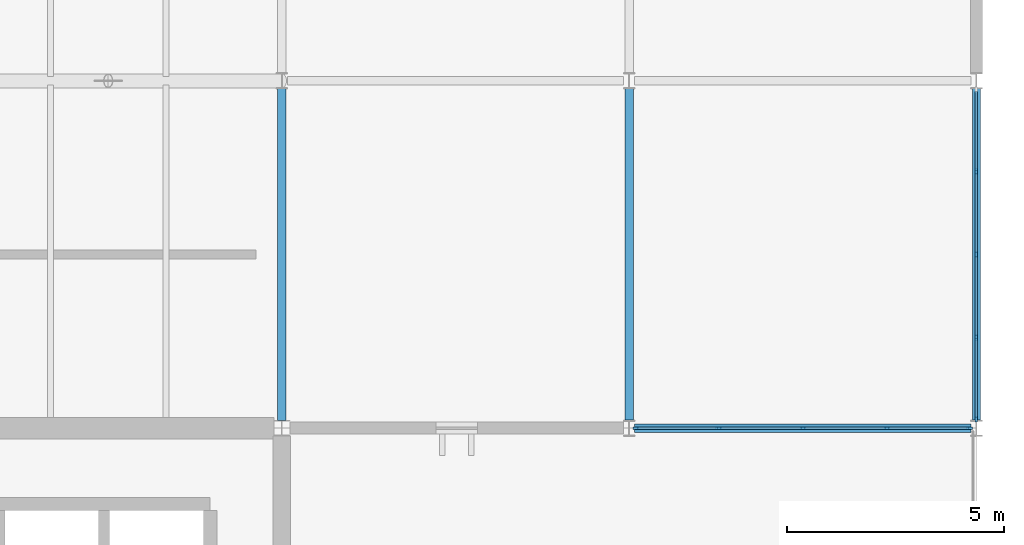
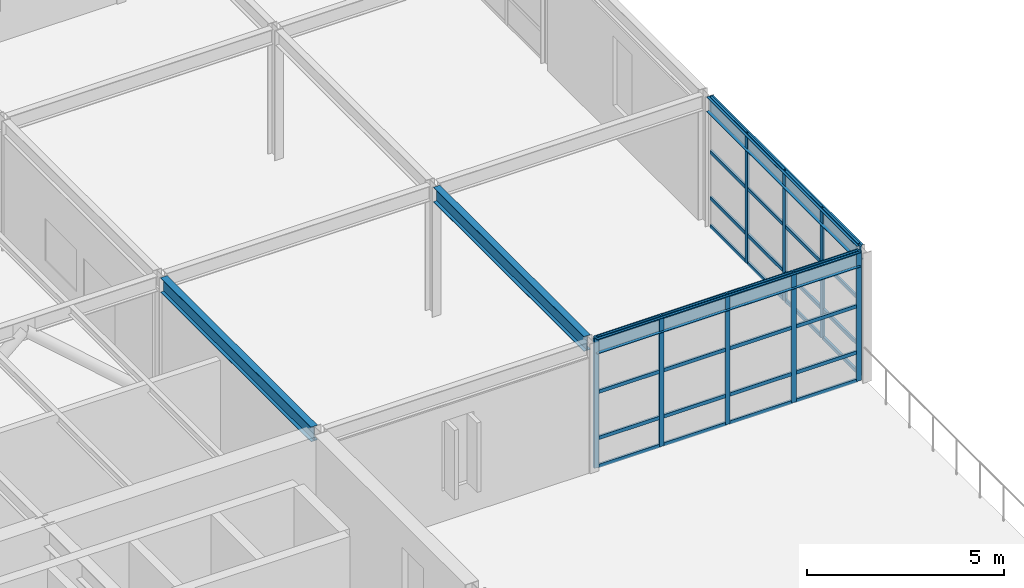
# One storey, part 10 of 21: 41 members, 4 beams, 2 elements without a shape of their own.
"""IFC4 building model written with IfcOpenShell, lengths in metres."""

from ifc_helpers import new_model, si_unit, direction, frame, origin, origin_2d, place, context, subcontext, project, spatial, rectangle, i_section, extrude, material, layer, layer_set, material_profile, profile_set, type_object, element, aggregate, save


model = new_model("IFC4")

# Units and contexts
model_context = context("Model", 3, precision=1e-05, world=origin(), true_north=direction((0.0, 1.0)))
body_context = subcontext(model_context, "Body", "Model", "MODEL_VIEW")
ifc_project = project(units=[si_unit("LENGTHUNIT", "METRE"), si_unit("AREAUNIT", "SQUARE_METRE"), si_unit("VOLUMEUNIT", "CUBIC_METRE"), si_unit("PLANEANGLEUNIT", "RADIAN"), si_unit("MASSUNIT", "GRAM", prefix="KILO")], contexts=[model_context])

# Site, building, storey
site_placement = place(None, origin())
site = spatial("IfcSite", under=ifc_project, at=site_placement, CompositionType="ELEMENT")
building_placement = place(site_placement, origin())
building = spatial("IfcBuilding", under=site, at=building_placement, Name="Varnela Railside Interchange", CompositionType="ELEMENT")
storey_placement = place(building_placement, frame((0.0, 0.0, 23.800048828125)))
storey = spatial("IfcBuildingStorey", under=building, at=storey_placement, Name="L05", CompositionType="ELEMENT", Elevation=23.800048828125)

# Curtain wall, members
ifc_material_1 = material(Name="Aluminium 6063-T6", Category="aluminium")
ifc_layer = layer(ifc_material_1, 0.035888671875)
ifc_layer_set = layer_set([ifc_layer], Name="Aluminium 6063-T6")
curtain_wall_type = type_object("IfcCurtainWallType", Name="Operations Wing Facade Curtain Wall CW-03", PredefinedType="USERDEFINED", material=ifc_layer_set)
curtain_wall_1_placement = place(storey_placement, origin())
curtain_wall_1 = element("IfcCurtainWall", 1, at=curtain_wall_1_placement, inside=storey, type_object=curtain_wall_type, Name="Curtain Wall CW-03 (L05) (CW-130)", ObjectType="CURTAIN WALL", PredefinedType="USERDEFINED")
ifc_material_profile_1 = material_profile(ifc_material_1, rectangle(XDim=0.06005859375, YDim=0.139892578125, at=origin_2d()), Name="ALU 60x140")
ifc_profile_set_1 = profile_set([ifc_material_profile_1], Name="Aluminium 6063-T6")
member_type_1 = type_object("IfcMemberType", Name="Curtain Wall Mullion ML-01", PredefinedType="MULLION", material=ifc_profile_set_1)
member_1_placement = place(storey_placement, frame((52.0, 75.9091796875, 0.0), z_axis=(0.0, 0.0, 1.0), x_axis=(1.0, 0.0, 0.0)))
member_1 = element("IfcMember", 2, at=member_1_placement, type_object=member_type_1, Name="CW-03 mullion 2", PredefinedType="MULLION", context=body_context, shape_type="SweptSolid", body=[
    extrude(rectangle(XDim=0.06005859375, YDim=0.139892578125, at=origin_2d()), origin(), (0.0, 0.0, 1.0), 4.02001953125),
])
member_2_placement = place(storey_placement, frame((52.0, 74.0, 0.0), z_axis=(0.0, 0.0, 1.0), x_axis=(1.0, 0.0, 0.0)))
member_2 = element("IfcMember", 3, at=member_2_placement, type_object=member_type_1, Name="CW-03 mullion 3", PredefinedType="MULLION", context=body_context, shape_type="SweptSolid", body=[
    extrude(rectangle(XDim=0.06005859375, YDim=0.139892578125, at=origin_2d()), origin(), (0.0, 0.0, 1.0), 4.02001953125),
])
member_3_placement = place(storey_placement, frame((52.0, 72.0908203125, 0.0), z_axis=(0.0, 0.0, 1.0), x_axis=(1.0, 0.0, 0.0)))
member_3 = element("IfcMember", 4, at=member_3_placement, type_object=member_type_1, Name="CW-03 mullion 4", PredefinedType="MULLION", context=body_context, shape_type="SweptSolid", body=[
    extrude(rectangle(XDim=0.06005859375, YDim=0.139892578125, at=origin_2d()), origin(), (0.0, 0.0, 1.0), 4.02001953125),
])
member_4_placement = place(storey_placement, frame((52.0, 70.21142578125, 0.0), z_axis=(0.0, 0.0, 1.0), x_axis=(1.0, 0.0, 0.0)))
member_4 = element("IfcMember", 5, at=member_4_placement, type_object=member_type_1, Name="CW-03 mullion 5", PredefinedType="MULLION", context=body_context, shape_type="SweptSolid", body=[
    extrude(rectangle(XDim=0.06005859375, YDim=0.139892578125, at=origin_2d()), origin(), (0.0, 0.0, 1.0), 4.02001953125),
])

curtain_wall_2_placement = place(storey_placement, origin())
curtain_wall_2 = element("IfcCurtainWall", 6, at=curtain_wall_2_placement, inside=storey, type_object=curtain_wall_type, Name="Curtain Wall CW-03 (L05) (CW-132)", ObjectType="CURTAIN WALL", PredefinedType="USERDEFINED")
member_5_placement = place(storey_placement, frame((51.841552734375, 70.0, 0.0), z_axis=(0.0, 0.0, 1.0), x_axis=(0.0, -1.0, 0.0)))
member_5 = element("IfcMember", 7, at=member_5_placement, type_object=member_type_1, Name="CW-03 mullion 1", PredefinedType="MULLION", context=body_context, shape_type="SweptSolid", body=[
    extrude(rectangle(XDim=0.06005859375, YDim=0.139892578125, at=origin_2d()), origin(), (0.0, 0.0, 1.0), 4.02001953125),
])
member_6_placement = place(storey_placement, frame((49.935791015625, 70.0, 0.0), z_axis=(0.0, 0.0, 1.0), x_axis=(0.0, -1.0, 0.0)))
member_6 = element("IfcMember", 8, at=member_6_placement, type_object=member_type_1, Name="CW-03 mullion 2", PredefinedType="MULLION", context=body_context, shape_type="SweptSolid", body=[
    extrude(rectangle(XDim=0.06005859375, YDim=0.139892578125, at=origin_2d()), origin(), (0.0, 0.0, 1.0), 4.02001953125),
])
member_7_placement = place(storey_placement, frame((48.0, 70.0, 0.0), z_axis=(0.0, 0.0, 1.0), x_axis=(0.0, -1.0, 0.0)))
member_7 = element("IfcMember", 9, at=member_7_placement, type_object=member_type_1, Name="CW-03 mullion 3", PredefinedType="MULLION", context=body_context, shape_type="SweptSolid", body=[
    extrude(rectangle(XDim=0.06005859375, YDim=0.139892578125, at=origin_2d()), origin(), (0.0, 0.0, 1.0), 4.02001953125),
])
member_8_placement = place(storey_placement, frame((46.064208984375, 70.0, 0.0), z_axis=(0.0, 0.0, 1.0), x_axis=(0.0, -1.0, 0.0)))
member_8 = element("IfcMember", 10, at=member_8_placement, type_object=member_type_1, Name="CW-03 mullion 4", PredefinedType="MULLION", context=body_context, shape_type="SweptSolid", body=[
    extrude(rectangle(XDim=0.06005859375, YDim=0.139892578125, at=origin_2d()), origin(), (0.0, 0.0, 1.0), 4.02001953125),
])
member_9_placement = place(storey_placement, frame((44.158447265625, 70.0, 0.0), z_axis=(0.0, 0.0, 1.0), x_axis=(0.0, -1.0, 0.0)))
member_9 = element("IfcMember", 11, at=member_9_placement, type_object=member_type_1, Name="CW-03 mullion 5", PredefinedType="MULLION", context=body_context, shape_type="SweptSolid", body=[
    extrude(rectangle(XDim=0.06005859375, YDim=0.139892578125, at=origin_2d()), origin(), (0.0, 0.0, 1.0), 4.02001953125),
])

# Member
ifc_material_profile_2 = material_profile(ifc_material_1, rectangle(XDim=0.06005859375, YDim=0.110107421875, at=origin_2d()), Name="ALU 60x110")
ifc_profile_set_2 = profile_set([ifc_material_profile_2], Name="Aluminium 6063-T6")
member_type_2 = type_object("IfcMemberType", Name="Curtain Wall Transom TR-01", PredefinedType="USERDEFINED", material=ifc_profile_set_2)
member_10_placement = place(storey_placement, frame((52.0, 77.758544921875, 0.030029296875), z_axis=(0.0, -1.0, 0.0), x_axis=(1.0, 0.0, 0.0)))
member_10 = element("IfcMember", 12, at=member_10_placement, type_object=member_type_2, Name="CW-03 transom 1.1", ObjectType="TRANSOM", PredefinedType="USERDEFINED", context=body_context, shape_type="SweptSolid", body=[
    extrude(rectangle(XDim=0.06005859375, YDim=0.110107421875, at=origin_2d()), origin(), (0.0, 0.0, 1.0), 1.8193359375),
])

member_11_placement = place(storey_placement, frame((52.0, 77.758544921875, 0.89990234375), z_axis=(0.0, -1.0, 0.0), x_axis=(1.0, 0.0, 0.0)))
member_11 = element("IfcMember", 13, at=member_11_placement, type_object=member_type_2, Name="CW-03 transom 1.2", ObjectType="TRANSOM", PredefinedType="USERDEFINED", context=body_context, shape_type="SweptSolid", body=[
    extrude(rectangle(XDim=0.06005859375, YDim=0.110107421875, at=origin_2d()), origin(), (0.0, 0.0, 1.0), 1.8193359375),
])

member_12_placement = place(storey_placement, frame((52.0, 77.758544921875, 2.33154296875), z_axis=(0.0, -1.0, 0.0), x_axis=(1.0, 0.0, 0.0)))
member_12 = element("IfcMember", 14, at=member_12_placement, type_object=member_type_2, Name="CW-03 transom 1.3", ObjectType="TRANSOM", PredefinedType="USERDEFINED", context=body_context, shape_type="SweptSolid", body=[
    extrude(rectangle(XDim=0.06005859375, YDim=0.110107421875, at=origin_2d()), origin(), (0.0, 0.0, 1.0), 1.8193359375),
])

member_13_placement = place(storey_placement, frame((52.0, 77.758544921875, 3.989990234375), z_axis=(0.0, -1.0, 0.0), x_axis=(1.0, 0.0, 0.0)))
member_13 = element("IfcMember", 15, at=member_13_placement, type_object=member_type_2, Name="CW-03 transom 1.4", ObjectType="TRANSOM", PredefinedType="USERDEFINED", context=body_context, shape_type="SweptSolid", body=[
    extrude(rectangle(XDim=0.06005859375, YDim=0.110107421875, at=origin_2d()), origin(), (0.0, 0.0, 1.0), 1.8193359375),
])

member_14_placement = place(storey_placement, frame((52.0, 75.879150390625, 0.030029296875), z_axis=(0.0, -1.0, 0.0), x_axis=(1.0, 0.0, 0.0)))
member_14 = element("IfcMember", 16, at=member_14_placement, type_object=member_type_2, Name="CW-03 transom 2.1", ObjectType="TRANSOM", PredefinedType="USERDEFINED", context=body_context, shape_type="SweptSolid", body=[
    extrude(rectangle(XDim=0.06005859375, YDim=0.110107421875, at=origin_2d()), origin(), (0.0, 0.0, 1.0), 1.84912109375),
])

member_15_placement = place(storey_placement, frame((52.0, 75.879150390625, 0.89990234375), z_axis=(0.0, -1.0, 0.0), x_axis=(1.0, 0.0, 0.0)))
member_15 = element("IfcMember", 17, at=member_15_placement, type_object=member_type_2, Name="CW-03 transom 2.2", ObjectType="TRANSOM", PredefinedType="USERDEFINED", context=body_context, shape_type="SweptSolid", body=[
    extrude(rectangle(XDim=0.06005859375, YDim=0.110107421875, at=origin_2d()), origin(), (0.0, 0.0, 1.0), 1.84912109375),
])

member_16_placement = place(storey_placement, frame((52.0, 75.879150390625, 2.33154296875), z_axis=(0.0, -1.0, 0.0), x_axis=(1.0, 0.0, 0.0)))
member_16 = element("IfcMember", 18, at=member_16_placement, type_object=member_type_2, Name="CW-03 transom 2.3", ObjectType="TRANSOM", PredefinedType="USERDEFINED", context=body_context, shape_type="SweptSolid", body=[
    extrude(rectangle(XDim=0.06005859375, YDim=0.110107421875, at=origin_2d()), origin(), (0.0, 0.0, 1.0), 1.84912109375),
])

member_17_placement = place(storey_placement, frame((52.0, 75.879150390625, 3.989990234375), z_axis=(0.0, -1.0, 0.0), x_axis=(1.0, 0.0, 0.0)))
member_17 = element("IfcMember", 19, at=member_17_placement, type_object=member_type_2, Name="CW-03 transom 2.4", ObjectType="TRANSOM", PredefinedType="USERDEFINED", context=body_context, shape_type="SweptSolid", body=[
    extrude(rectangle(XDim=0.06005859375, YDim=0.110107421875, at=origin_2d()), origin(), (0.0, 0.0, 1.0), 1.84912109375),
])

member_18_placement = place(storey_placement, frame((52.0, 73.969970703125, 0.030029296875), z_axis=(0.0, -1.0, 0.0), x_axis=(1.0, 0.0, 0.0)))
member_18 = element("IfcMember", 20, at=member_18_placement, type_object=member_type_2, Name="CW-03 transom 3.1", ObjectType="TRANSOM", PredefinedType="USERDEFINED", context=body_context, shape_type="SweptSolid", body=[
    extrude(rectangle(XDim=0.06005859375, YDim=0.110107421875, at=origin_2d()), origin(), (0.0, 0.0, 1.0), 1.84912109375),
])

member_19_placement = place(storey_placement, frame((52.0, 73.969970703125, 0.89990234375), z_axis=(0.0, -1.0, 0.0), x_axis=(1.0, 0.0, 0.0)))
member_19 = element("IfcMember", 21, at=member_19_placement, type_object=member_type_2, Name="CW-03 transom 3.2", ObjectType="TRANSOM", PredefinedType="USERDEFINED", context=body_context, shape_type="SweptSolid", body=[
    extrude(rectangle(XDim=0.06005859375, YDim=0.110107421875, at=origin_2d()), origin(), (0.0, 0.0, 1.0), 1.84912109375),
])

member_20_placement = place(storey_placement, frame((52.0, 73.969970703125, 2.33154296875), z_axis=(0.0, -1.0, 0.0), x_axis=(1.0, 0.0, 0.0)))
member_20 = element("IfcMember", 22, at=member_20_placement, type_object=member_type_2, Name="CW-03 transom 3.3", ObjectType="TRANSOM", PredefinedType="USERDEFINED", context=body_context, shape_type="SweptSolid", body=[
    extrude(rectangle(XDim=0.06005859375, YDim=0.110107421875, at=origin_2d()), origin(), (0.0, 0.0, 1.0), 1.84912109375),
])

member_21_placement = place(storey_placement, frame((52.0, 73.969970703125, 3.989990234375), z_axis=(0.0, -1.0, 0.0), x_axis=(1.0, 0.0, 0.0)))
member_21 = element("IfcMember", 23, at=member_21_placement, type_object=member_type_2, Name="CW-03 transom 3.4", ObjectType="TRANSOM", PredefinedType="USERDEFINED", context=body_context, shape_type="SweptSolid", body=[
    extrude(rectangle(XDim=0.06005859375, YDim=0.110107421875, at=origin_2d()), origin(), (0.0, 0.0, 1.0), 1.84912109375),
])

member_22_placement = place(storey_placement, frame((52.0, 72.060791015625, 0.030029296875), z_axis=(0.0, -1.0, 0.0), x_axis=(1.0, 0.0, 0.0)))
member_22 = element("IfcMember", 24, at=member_22_placement, type_object=member_type_2, Name="CW-03 transom 4.1", ObjectType="TRANSOM", PredefinedType="USERDEFINED", context=body_context, shape_type="SweptSolid", body=[
    extrude(rectangle(XDim=0.06005859375, YDim=0.110107421875, at=origin_2d()), origin(), (0.0, 0.0, 1.0), 1.8193359375),
])

member_23_placement = place(storey_placement, frame((52.0, 72.060791015625, 0.89990234375), z_axis=(0.0, -1.0, 0.0), x_axis=(1.0, 0.0, 0.0)))
member_23 = element("IfcMember", 25, at=member_23_placement, type_object=member_type_2, Name="CW-03 transom 4.2", ObjectType="TRANSOM", PredefinedType="USERDEFINED", context=body_context, shape_type="SweptSolid", body=[
    extrude(rectangle(XDim=0.06005859375, YDim=0.110107421875, at=origin_2d()), origin(), (0.0, 0.0, 1.0), 1.8193359375),
])

member_24_placement = place(storey_placement, frame((52.0, 72.060791015625, 2.33154296875), z_axis=(0.0, -1.0, 0.0), x_axis=(1.0, 0.0, 0.0)))
member_24 = element("IfcMember", 26, at=member_24_placement, type_object=member_type_2, Name="CW-03 transom 4.3", ObjectType="TRANSOM", PredefinedType="USERDEFINED", context=body_context, shape_type="SweptSolid", body=[
    extrude(rectangle(XDim=0.06005859375, YDim=0.110107421875, at=origin_2d()), origin(), (0.0, 0.0, 1.0), 1.8193359375),
])

member_25_placement = place(storey_placement, frame((52.0, 72.060791015625, 3.989990234375), z_axis=(0.0, -1.0, 0.0), x_axis=(1.0, 0.0, 0.0)))
member_25 = element("IfcMember", 27, at=member_25_placement, type_object=member_type_2, Name="CW-03 transom 4.4", ObjectType="TRANSOM", PredefinedType="USERDEFINED", context=body_context, shape_type="SweptSolid", body=[
    extrude(rectangle(XDim=0.06005859375, YDim=0.110107421875, at=origin_2d()), origin(), (0.0, 0.0, 1.0), 1.8193359375),
])

aggregate(curtain_wall_1, [member_1, member_2, member_3, member_4, member_10, member_11, member_12, member_13, member_14, member_15, member_16, member_17, member_18, member_19, member_20, member_21, member_22, member_23, member_24, member_25])

member_26_placement = place(storey_placement, frame((51.8115234375, 70.0, 0.030029296875), z_axis=(-1.0, 0.0, 0.0), x_axis=(0.0, -1.0, 0.0)))
member_26 = element("IfcMember", 28, at=member_26_placement, type_object=member_type_2, Name="CW-03 transom 1.1", ObjectType="TRANSOM", PredefinedType="USERDEFINED", context=body_context, shape_type="SweptSolid", body=[
    extrude(rectangle(XDim=0.06005859375, YDim=0.110107421875, at=origin_2d()), origin(), (0.0, 0.0, 1.0), 1.845703125),
])

member_27_placement = place(storey_placement, frame((51.8115234375, 70.0, 0.89990234375), z_axis=(-1.0, 0.0, 0.0), x_axis=(0.0, -1.0, 0.0)))
member_27 = element("IfcMember", 29, at=member_27_placement, type_object=member_type_2, Name="CW-03 transom 1.2", ObjectType="TRANSOM", PredefinedType="USERDEFINED", context=body_context, shape_type="SweptSolid", body=[
    extrude(rectangle(XDim=0.06005859375, YDim=0.110107421875, at=origin_2d()), origin(), (0.0, 0.0, 1.0), 1.845703125),
])

member_28_placement = place(storey_placement, frame((51.8115234375, 70.0, 2.33154296875), z_axis=(-1.0, 0.0, 0.0), x_axis=(0.0, -1.0, 0.0)))
member_28 = element("IfcMember", 30, at=member_28_placement, type_object=member_type_2, Name="CW-03 transom 1.3", ObjectType="TRANSOM", PredefinedType="USERDEFINED", context=body_context, shape_type="SweptSolid", body=[
    extrude(rectangle(XDim=0.06005859375, YDim=0.110107421875, at=origin_2d()), origin(), (0.0, 0.0, 1.0), 1.845703125),
])

member_29_placement = place(storey_placement, frame((51.8115234375, 70.0, 3.989990234375), z_axis=(-1.0, 0.0, 0.0), x_axis=(0.0, -1.0, 0.0)))
member_29 = element("IfcMember", 31, at=member_29_placement, type_object=member_type_2, Name="CW-03 transom 1.4", ObjectType="TRANSOM", PredefinedType="USERDEFINED", context=body_context, shape_type="SweptSolid", body=[
    extrude(rectangle(XDim=0.06005859375, YDim=0.110107421875, at=origin_2d()), origin(), (0.0, 0.0, 1.0), 1.845703125),
])

member_30_placement = place(storey_placement, frame((49.90576171875, 70.0, 0.030029296875), z_axis=(-1.0, 0.0, 0.0), x_axis=(0.0, -1.0, 0.0)))
member_30 = element("IfcMember", 32, at=member_30_placement, type_object=member_type_2, Name="CW-03 transom 2.1", ObjectType="TRANSOM", PredefinedType="USERDEFINED", context=body_context, shape_type="SweptSolid", body=[
    extrude(rectangle(XDim=0.06005859375, YDim=0.110107421875, at=origin_2d()), origin(), (0.0, 0.0, 1.0), 1.875732421875),
])

member_31_placement = place(storey_placement, frame((49.90576171875, 70.0, 0.89990234375), z_axis=(-1.0, 0.0, 0.0), x_axis=(0.0, -1.0, 0.0)))
member_31 = element("IfcMember", 33, at=member_31_placement, type_object=member_type_2, Name="CW-03 transom 2.2", ObjectType="TRANSOM", PredefinedType="USERDEFINED", context=body_context, shape_type="SweptSolid", body=[
    extrude(rectangle(XDim=0.06005859375, YDim=0.110107421875, at=origin_2d()), origin(), (0.0, 0.0, 1.0), 1.875732421875),
])

member_32_placement = place(storey_placement, frame((49.90576171875, 70.0, 2.33154296875), z_axis=(-1.0, 0.0, 0.0), x_axis=(0.0, -1.0, 0.0)))
member_32 = element("IfcMember", 34, at=member_32_placement, type_object=member_type_2, Name="CW-03 transom 2.3", ObjectType="TRANSOM", PredefinedType="USERDEFINED", context=body_context, shape_type="SweptSolid", body=[
    extrude(rectangle(XDim=0.06005859375, YDim=0.110107421875, at=origin_2d()), origin(), (0.0, 0.0, 1.0), 1.875732421875),
])

member_33_placement = place(storey_placement, frame((49.90576171875, 70.0, 3.989990234375), z_axis=(-1.0, 0.0, 0.0), x_axis=(0.0, -1.0, 0.0)))
member_33 = element("IfcMember", 35, at=member_33_placement, type_object=member_type_2, Name="CW-03 transom 2.4", ObjectType="TRANSOM", PredefinedType="USERDEFINED", context=body_context, shape_type="SweptSolid", body=[
    extrude(rectangle(XDim=0.06005859375, YDim=0.110107421875, at=origin_2d()), origin(), (0.0, 0.0, 1.0), 1.875732421875),
])

member_34_placement = place(storey_placement, frame((47.969970703125, 70.0, 0.030029296875), z_axis=(-1.0, 0.0, 0.0), x_axis=(0.0, -1.0, 0.0)))
member_34 = element("IfcMember", 36, at=member_34_placement, type_object=member_type_2, Name="CW-03 transom 3.1", ObjectType="TRANSOM", PredefinedType="USERDEFINED", context=body_context, shape_type="SweptSolid", body=[
    extrude(rectangle(XDim=0.06005859375, YDim=0.110107421875, at=origin_2d()), origin(), (0.0, 0.0, 1.0), 1.875732421875),
])

member_35_placement = place(storey_placement, frame((47.969970703125, 70.0, 0.89990234375), z_axis=(-1.0, 0.0, 0.0), x_axis=(0.0, -1.0, 0.0)))
member_35 = element("IfcMember", 37, at=member_35_placement, type_object=member_type_2, Name="CW-03 transom 3.2", ObjectType="TRANSOM", PredefinedType="USERDEFINED", context=body_context, shape_type="SweptSolid", body=[
    extrude(rectangle(XDim=0.06005859375, YDim=0.110107421875, at=origin_2d()), origin(), (0.0, 0.0, 1.0), 1.875732421875),
])

member_36_placement = place(storey_placement, frame((47.969970703125, 70.0, 2.33154296875), z_axis=(-1.0, 0.0, 0.0), x_axis=(0.0, -1.0, 0.0)))
member_36 = element("IfcMember", 38, at=member_36_placement, type_object=member_type_2, Name="CW-03 transom 3.3", ObjectType="TRANSOM", PredefinedType="USERDEFINED", context=body_context, shape_type="SweptSolid", body=[
    extrude(rectangle(XDim=0.06005859375, YDim=0.110107421875, at=origin_2d()), origin(), (0.0, 0.0, 1.0), 1.875732421875),
])

member_37_placement = place(storey_placement, frame((47.969970703125, 70.0, 3.989990234375), z_axis=(-1.0, 0.0, 0.0), x_axis=(0.0, -1.0, 0.0)))
member_37 = element("IfcMember", 39, at=member_37_placement, type_object=member_type_2, Name="CW-03 transom 3.4", ObjectType="TRANSOM", PredefinedType="USERDEFINED", context=body_context, shape_type="SweptSolid", body=[
    extrude(rectangle(XDim=0.06005859375, YDim=0.110107421875, at=origin_2d()), origin(), (0.0, 0.0, 1.0), 1.875732421875),
])

member_38_placement = place(storey_placement, frame((46.0341796875, 70.0, 0.030029296875), z_axis=(-1.0, 0.0, 0.0), x_axis=(0.0, -1.0, 0.0)))
member_38 = element("IfcMember", 40, at=member_38_placement, type_object=member_type_2, Name="CW-03 transom 4.1", ObjectType="TRANSOM", PredefinedType="USERDEFINED", context=body_context, shape_type="SweptSolid", body=[
    extrude(rectangle(XDim=0.06005859375, YDim=0.110107421875, at=origin_2d()), origin(), (0.0, 0.0, 1.0), 1.845703125),
])

member_39_placement = place(storey_placement, frame((46.0341796875, 70.0, 0.89990234375), z_axis=(-1.0, 0.0, 0.0), x_axis=(0.0, -1.0, 0.0)))
member_39 = element("IfcMember", 41, at=member_39_placement, type_object=member_type_2, Name="CW-03 transom 4.2", ObjectType="TRANSOM", PredefinedType="USERDEFINED", context=body_context, shape_type="SweptSolid", body=[
    extrude(rectangle(XDim=0.06005859375, YDim=0.110107421875, at=origin_2d()), origin(), (0.0, 0.0, 1.0), 1.845703125),
])

member_40_placement = place(storey_placement, frame((46.0341796875, 70.0, 2.33154296875), z_axis=(-1.0, 0.0, 0.0), x_axis=(0.0, -1.0, 0.0)))
member_40 = element("IfcMember", 42, at=member_40_placement, type_object=member_type_2, Name="CW-03 transom 4.3", ObjectType="TRANSOM", PredefinedType="USERDEFINED", context=body_context, shape_type="SweptSolid", body=[
    extrude(rectangle(XDim=0.06005859375, YDim=0.110107421875, at=origin_2d()), origin(), (0.0, 0.0, 1.0), 1.845703125),
])

member_41_placement = place(storey_placement, frame((46.0341796875, 70.0, 3.989990234375), z_axis=(-1.0, 0.0, 0.0), x_axis=(0.0, -1.0, 0.0)))
member_41 = element("IfcMember", 43, at=member_41_placement, type_object=member_type_2, Name="CW-03 transom 4.4", ObjectType="TRANSOM", PredefinedType="USERDEFINED", context=body_context, shape_type="SweptSolid", body=[
    extrude(rectangle(XDim=0.06005859375, YDim=0.110107421875, at=origin_2d()), origin(), (0.0, 0.0, 1.0), 1.845703125),
])

aggregate(curtain_wall_2, [member_5, member_6, member_7, member_8, member_9, member_26, member_27, member_28, member_29, member_30, member_31, member_32, member_33, member_34, member_35, member_36, member_37, member_38, member_39, member_40, member_41])

# Beams
ifc_material_2 = material(Name="Steel AR 350 (350 MPa)", Category="steel")
ifc_material_profile_3 = material_profile(ifc_material_2, i_section(OverallWidth=0.19091796875, OverallDepth=0.4599609375, WebThickness=0.010009765625, FlangeThickness=0.01611328125, at=origin_2d()), Name="W460x82")
ifc_profile_set_3 = profile_set([ifc_material_profile_3], Name="Steel AR 350 (350 MPa)")
beam_type = type_object("IfcBeamType", Name="Steel Perimeter Spandrel SP-01", PredefinedType="SPANDREL", material=ifc_profile_set_3)
beam_1_placement = place(storey_placement, frame((44.12841796875, 70.0, 3.7900390625), z_axis=(1.0, 0.0, 0.0), x_axis=(0.0, 1.0, 0.0)))
element("IfcBeam", 44, at=beam_1_placement, inside=storey, type_object=beam_type, Name="Steel Perimeter Spandrel SP-01 (L05) (BM-2583)", PredefinedType="SPANDREL", context=body_context, shape_type="SweptSolid", body=[
    extrude(i_section(OverallWidth=0.19091796875, OverallDepth=0.4599609375, WebThickness=0.010009765625, FlangeThickness=0.01611328125, at=origin_2d()), origin(), (0.0, 0.0, 1.0), 7.7431640625),
])
beam_2_placement = place(storey_placement, frame((36.0, 70.179931640625, 3.7900390625), z_axis=(0.0, 1.0, 0.0), x_axis=(-1.0, 0.0, 0.0)))
element("IfcBeam", 45, at=beam_2_placement, inside=storey, type_object=beam_type, Name="Steel Perimeter Spandrel SP-01 (L05) (BM-2623)", PredefinedType="SPANDREL", context=body_context, shape_type="SweptSolid", body=[
    extrude(i_section(OverallWidth=0.19091796875, OverallDepth=0.4599609375, WebThickness=0.010009765625, FlangeThickness=0.01611328125, at=origin_2d()), origin(), (0.0, 0.0, 1.0), 7.638671875),
])
for number, where, z_axis, x_axis, name in (
    (46, (44.0, 70.181396484375, 3.7900390625), (0.0, 1.0, 0.0), (-1.0, 0.0, 0.0), "Steel Perimeter Spandrel SP-01 (L05) (BM-2626)"),
    (47, (52.0, 70.181396484375, 3.7900390625), (0.0, 1.0, 0.0), (-1.0, 0.0, 0.0), "Steel Perimeter Spandrel SP-01 (L05) (BM-2629)"),
):
    element("IfcBeam", number, at=place(storey_placement, frame(where, z_axis=z_axis, x_axis=x_axis)), inside=storey, type_object=beam_type, Name=name, PredefinedType="SPANDREL", context=body_context, shape_type="SweptSolid", body=[
        extrude(i_section(OverallWidth=0.19091796875, OverallDepth=0.4599609375, WebThickness=0.010009765625, FlangeThickness=0.01611328125, at=origin_2d()), origin(), (0.0, 0.0, 1.0), 7.63720703125),
    ])

save(model, "model.ifc")
